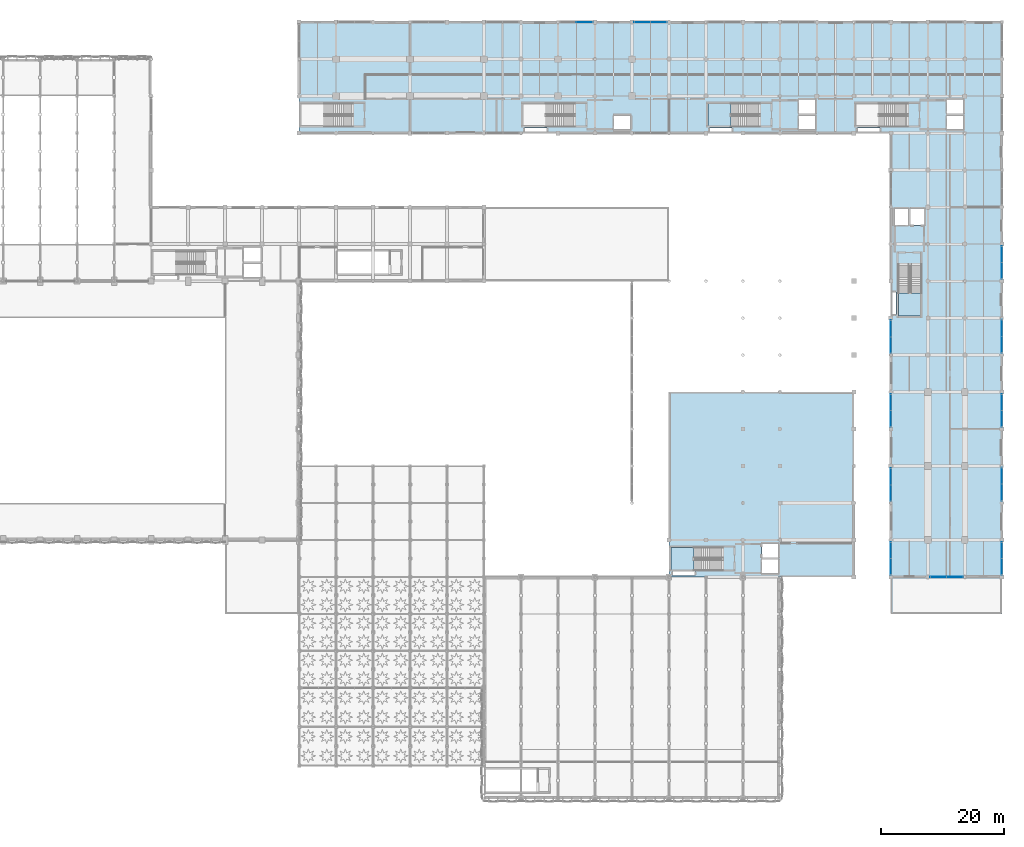
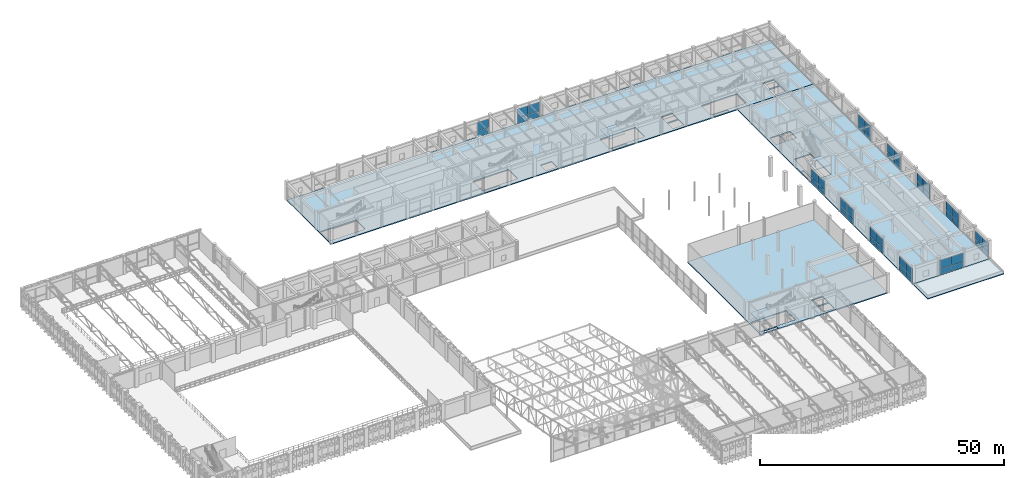
# One storey, part 89 of 123: 46 plates, 7 slabs, 15 elements without a shape of their own.
"""IFC4 building model written with IfcOpenShell, lengths in metres."""

from ifc_helpers import new_model, si_unit, direction, frame, frame_2d, origin, place, context, subcontext, project, spatial, polyline, rectangle, outline, extrude, material, layer, layer_set, type_object, element, aggregate, save


model = new_model("IFC4")

# Units and contexts
model_context = context("Model", 3, precision=1e-05, world=origin(), true_north=direction((0.0, 1.0)))
body_context = subcontext(model_context, "Body", "Model", "MODEL_VIEW")
ifc_project = project(units=[si_unit("LENGTHUNIT", "METRE"), si_unit("AREAUNIT", "SQUARE_METRE"), si_unit("VOLUMEUNIT", "CUBIC_METRE"), si_unit("PLANEANGLEUNIT", "RADIAN"), si_unit("MASSUNIT", "GRAM", prefix="KILO"), si_unit("THERMODYNAMICTEMPERATUREUNIT", "KELVIN"), si_unit("POWERUNIT", "WATT")], contexts=[model_context])

# Site, building, storey
site_placement = place(None, origin())
site = spatial("IfcSite", under=ifc_project, at=site_placement, CompositionType="ELEMENT")
building_placement = place(site_placement, origin())
building = spatial("IfcBuilding", under=site, at=building_placement, Name="Phaisarnlok Congress Hotel", CompositionType="ELEMENT")
storey_placement = place(building_placement, frame((0.0, 0.0, 15.0)))
storey = spatial("IfcBuildingStorey", under=building, at=storey_placement, Name="L03", CompositionType="ELEMENT", Elevation=15.0)

# Curtain wall, plates
ifc_material_1 = material(Name="Thermally Broken Unitised Aluminium & Low-E Glazing", Category="aluminium")
curtain_wall_type_1 = type_object("IfcCurtainWallType", Name="CW-UNIT-31", PredefinedType="NOTDEFINED", material=ifc_material_1)
curtain_wall_1_placement = place(storey_placement, origin())
curtain_wall_1 = element("IfcCurtainWall", 1, at=curtain_wall_1_placement, inside=storey, type_object=curtain_wall_type_1, Name="Unitised curtain wall CW-31 (L03)", PredefinedType="NOTDEFINED")
ifc_material_2 = material(Name="Double Low-E Insulated Glazing", Category="glass")
ifc_layer_1 = layer(ifc_material_2, 0.028076171875, Name="Double Low-E Insulated Glazing")
ifc_layer_set_1 = layer_set([ifc_layer_1], Name="Double Low-E Insulated Glazing")
plate_type = type_object("IfcPlateType", Name="CWP-GLZ-28", PredefinedType="CURTAIN_PANEL", material=ifc_layer_set_1)
plate_1_placement = place(storey_placement, frame((162.0, 77.625, 0.0400390625), z_axis=(0.0, 0.0, 1.0), x_axis=(0.0, -1.0, 0.0)))
plate_1 = element("IfcPlate", 2, at=plate_1_placement, type_object=plate_type, Name="Glazed curtain panel CWP-01", PredefinedType="CURTAIN_PANEL", context=body_context, shape_type="SweptSolid", body=[
    extrude(rectangle(XDim=2.657958984375, YDim=0.028076171875, at=frame_2d((1.3291015625, 0.0))), origin(), (0.0, 0.0, 1.0), 1.365966796875),
])
plate_2_placement = place(storey_placement, frame((162.0, 77.625, 1.406005859375), z_axis=(0.0, 0.0, 1.0), x_axis=(0.0, -1.0, 0.0)))
plate_2 = element("IfcPlate", 3, at=plate_2_placement, type_object=plate_type, Name="Glazed curtain panel CWP-01", PredefinedType="CURTAIN_PANEL", context=body_context, shape_type="SweptSolid", body=[
    extrude(rectangle(XDim=2.657958984375, YDim=0.028076171875, at=frame_2d((1.3291015625, 0.0))), origin(), (0.0, 0.0, 1.0), 2.25390625),
])
plate_3_placement = place(storey_placement, frame((162.0, 74.93701171875, 0.0400390625), z_axis=(0.0, 0.0, 1.0), x_axis=(0.0, -1.0, 0.0)))
plate_3 = element("IfcPlate", 4, at=plate_3_placement, type_object=plate_type, Name="Glazed curtain panel CWP-01", PredefinedType="CURTAIN_PANEL", context=body_context, shape_type="SweptSolid", body=[
    extrude(rectangle(XDim=2.657958984375, YDim=0.028076171875, at=frame_2d((1.3291015625, 0.0))), origin(), (0.0, 0.0, 1.0), 1.365966796875),
])
plate_4_placement = place(storey_placement, frame((162.0, 74.93701171875, 1.406005859375), z_axis=(0.0, 0.0, 1.0), x_axis=(0.0, -1.0, 0.0)))
plate_4 = element("IfcPlate", 5, at=plate_4_placement, type_object=plate_type, Name="Glazed curtain panel CWP-01", PredefinedType="CURTAIN_PANEL", context=body_context, shape_type="SweptSolid", body=[
    extrude(rectangle(XDim=2.657958984375, YDim=0.028076171875, at=frame_2d((1.3291015625, 0.0))), origin(), (0.0, 0.0, 1.0), 2.25390625),
])
aggregate(curtain_wall_1, [plate_1, plate_2, plate_3, plate_4])

curtain_wall_type_2 = type_object("IfcCurtainWallType", Name="CW-UNIT-30", PredefinedType="NOTDEFINED", material=ifc_material_1)
curtain_wall_2_placement = place(storey_placement, origin())
curtain_wall_2 = element("IfcCurtainWall", 6, at=curtain_wall_2_placement, inside=storey, type_object=curtain_wall_type_2, Name="Unitised curtain wall CW-30 (L03)", PredefinedType="NOTDEFINED")
plate_5_placement = place(storey_placement, frame((162.0, 65.625, 0.0400390625), z_axis=(0.0, 0.0, 1.0), x_axis=(0.0, -1.0, 0.0)))
plate_5 = element("IfcPlate", 7, at=plate_5_placement, type_object=plate_type, Name="Glazed curtain panel CWP-01", PredefinedType="CURTAIN_PANEL", context=body_context, shape_type="SweptSolid", body=[
    extrude(rectangle(XDim=2.62255859375, YDim=0.028076171875, at=frame_2d((1.311279296875, 0.0))), origin(), (0.0, 0.0, 1.0), 1.365966796875),
])
plate_6_placement = place(storey_placement, frame((162.0, 65.625, 1.406005859375), z_axis=(0.0, 0.0, 1.0), x_axis=(0.0, -1.0, 0.0)))
plate_6 = element("IfcPlate", 8, at=plate_6_placement, type_object=plate_type, Name="Glazed curtain panel CWP-01", PredefinedType="CURTAIN_PANEL", context=body_context, shape_type="SweptSolid", body=[
    extrude(rectangle(XDim=2.62255859375, YDim=0.028076171875, at=frame_2d((1.311279296875, 0.0))), origin(), (0.0, 0.0, 1.0), 2.25390625),
])
plate_7_placement = place(storey_placement, frame((162.0, 62.972412109375, 0.0400390625), z_axis=(0.0, 0.0, 1.0), x_axis=(0.0, -1.0, 0.0)))
plate_7 = element("IfcPlate", 9, at=plate_7_placement, type_object=plate_type, Name="Glazed curtain panel CWP-01", PredefinedType="CURTAIN_PANEL", context=body_context, shape_type="SweptSolid", body=[
    extrude(rectangle(XDim=2.622314453125, YDim=0.028076171875, at=frame_2d((1.31103515625, 0.0))), origin(), (0.0, 0.0, 1.0), 1.365966796875),
])
plate_8_placement = place(storey_placement, frame((162.0, 62.972412109375, 1.406005859375), z_axis=(0.0, 0.0, 1.0), x_axis=(0.0, -1.0, 0.0)))
plate_8 = element("IfcPlate", 10, at=plate_8_placement, type_object=plate_type, Name="Glazed curtain panel CWP-01", PredefinedType="CURTAIN_PANEL", context=body_context, shape_type="SweptSolid", body=[
    extrude(rectangle(XDim=2.622314453125, YDim=0.028076171875, at=frame_2d((1.31103515625, 0.0))), origin(), (0.0, 0.0, 1.0), 2.25390625),
])
aggregate(curtain_wall_2, [plate_5, plate_6, plate_7, plate_8])

curtain_wall_3_placement = place(storey_placement, origin())
curtain_wall_3 = element("IfcCurtainWall", 11, at=curtain_wall_3_placement, inside=storey, type_object=curtain_wall_type_1, Name="Unitised curtain wall CW-31 (L03)", PredefinedType="NOTDEFINED")
plate_9_placement = place(storey_placement, frame((162.0, 53.625, 0.0400390625), z_axis=(0.0, 0.0, 1.0), x_axis=(0.0, -1.0, 0.0)))
plate_9 = element("IfcPlate", 12, at=plate_9_placement, type_object=plate_type, Name="Glazed curtain panel CWP-01", PredefinedType="CURTAIN_PANEL", context=body_context, shape_type="SweptSolid", body=[
    extrude(rectangle(XDim=2.657958984375, YDim=0.028076171875, at=frame_2d((1.3291015625, 0.0))), origin(), (0.0, 0.0, 1.0), 1.365966796875),
])
plate_10_placement = place(storey_placement, frame((162.0, 53.625, 1.406005859375), z_axis=(0.0, 0.0, 1.0), x_axis=(0.0, -1.0, 0.0)))
plate_10 = element("IfcPlate", 13, at=plate_10_placement, type_object=plate_type, Name="Glazed curtain panel CWP-01", PredefinedType="CURTAIN_PANEL", context=body_context, shape_type="SweptSolid", body=[
    extrude(rectangle(XDim=2.657958984375, YDim=0.028076171875, at=frame_2d((1.3291015625, 0.0))), origin(), (0.0, 0.0, 1.0), 2.25390625),
])
plate_11_placement = place(storey_placement, frame((162.0, 50.93701171875, 0.0400390625), z_axis=(0.0, 0.0, 1.0), x_axis=(0.0, -1.0, 0.0)))
plate_11 = element("IfcPlate", 14, at=plate_11_placement, type_object=plate_type, Name="Glazed curtain panel CWP-01", PredefinedType="CURTAIN_PANEL", context=body_context, shape_type="SweptSolid", body=[
    extrude(rectangle(XDim=2.657958984375, YDim=0.028076171875, at=frame_2d((1.3291015625, 0.0))), origin(), (0.0, 0.0, 1.0), 1.365966796875),
])
plate_12_placement = place(storey_placement, frame((162.0, 50.93701171875, 1.406005859375), z_axis=(0.0, 0.0, 1.0), x_axis=(0.0, -1.0, 0.0)))
plate_12 = element("IfcPlate", 15, at=plate_12_placement, type_object=plate_type, Name="Glazed curtain panel CWP-01", PredefinedType="CURTAIN_PANEL", context=body_context, shape_type="SweptSolid", body=[
    extrude(rectangle(XDim=2.657958984375, YDim=0.028076171875, at=frame_2d((1.3291015625, 0.0))), origin(), (0.0, 0.0, 1.0), 2.25390625),
])
aggregate(curtain_wall_3, [plate_9, plate_10, plate_11, plate_12])

curtain_wall_4_placement = place(storey_placement, origin())
curtain_wall_4 = element("IfcCurtainWall", 16, at=curtain_wall_4_placement, inside=storey, type_object=curtain_wall_type_2, Name="Unitised curtain wall CW-30 (L03)", PredefinedType="NOTDEFINED")
plate_13_placement = place(storey_placement, frame((162.0, 41.625, 0.0400390625), z_axis=(0.0, 0.0, 1.0), x_axis=(0.0, -1.0, 0.0)))
plate_13 = element("IfcPlate", 17, at=plate_13_placement, type_object=plate_type, Name="Glazed curtain panel CWP-01", PredefinedType="CURTAIN_PANEL", context=body_context, shape_type="SweptSolid", body=[
    extrude(rectangle(XDim=2.62255859375, YDim=0.028076171875, at=frame_2d((1.311279296875, 0.0))), origin(), (0.0, 0.0, 1.0), 1.365966796875),
])
plate_14_placement = place(storey_placement, frame((162.0, 41.625, 1.406005859375), z_axis=(0.0, 0.0, 1.0), x_axis=(0.0, -1.0, 0.0)))
plate_14 = element("IfcPlate", 18, at=plate_14_placement, type_object=plate_type, Name="Glazed curtain panel CWP-01", PredefinedType="CURTAIN_PANEL", context=body_context, shape_type="SweptSolid", body=[
    extrude(rectangle(XDim=2.62255859375, YDim=0.028076171875, at=frame_2d((1.311279296875, 0.0))), origin(), (0.0, 0.0, 1.0), 2.25390625),
])
plate_15_placement = place(storey_placement, frame((162.0, 38.972412109375, 0.0400390625), z_axis=(0.0, 0.0, 1.0), x_axis=(0.0, -1.0, 0.0)))
plate_15 = element("IfcPlate", 19, at=plate_15_placement, type_object=plate_type, Name="Glazed curtain panel CWP-01", PredefinedType="CURTAIN_PANEL", context=body_context, shape_type="SweptSolid", body=[
    extrude(rectangle(XDim=2.622314453125, YDim=0.028076171875, at=frame_2d((1.31103515625, 0.0))), origin(), (0.0, 0.0, 1.0), 1.365966796875),
])
plate_16_placement = place(storey_placement, frame((162.0, 38.972412109375, 1.406005859375), z_axis=(0.0, 0.0, 1.0), x_axis=(0.0, -1.0, 0.0)))
plate_16 = element("IfcPlate", 20, at=plate_16_placement, type_object=plate_type, Name="Glazed curtain panel CWP-01", PredefinedType="CURTAIN_PANEL", context=body_context, shape_type="SweptSolid", body=[
    extrude(rectangle(XDim=2.622314453125, YDim=0.028076171875, at=frame_2d((1.31103515625, 0.0))), origin(), (0.0, 0.0, 1.0), 2.25390625),
])
aggregate(curtain_wall_4, [plate_13, plate_14, plate_15, plate_16])

curtain_wall_5_placement = place(storey_placement, origin())
curtain_wall_5 = element("IfcCurtainWall", 21, at=curtain_wall_5_placement, inside=storey, type_object=curtain_wall_type_1, Name="Unitised curtain wall CW-31 (L03)", PredefinedType="NOTDEFINED")
plate_17_placement = place(storey_placement, frame((168.375, 36.0, 0.0400390625), z_axis=(0.0, 0.0, 1.0), x_axis=(1.0, 0.0, 0.0)))
plate_17 = element("IfcPlate", 22, at=plate_17_placement, type_object=plate_type, Name="Glazed curtain panel CWP-01", PredefinedType="CURTAIN_PANEL", context=body_context, shape_type="SweptSolid", body=[
    extrude(rectangle(XDim=2.657958984375, YDim=0.028076171875, at=frame_2d((1.3291015625, 0.0))), origin(), (0.0, 0.0, 1.0), 1.365966796875),
])
plate_18_placement = place(storey_placement, frame((168.375, 36.0, 1.406005859375), z_axis=(0.0, 0.0, 1.0), x_axis=(1.0, 0.0, 0.0)))
plate_18 = element("IfcPlate", 23, at=plate_18_placement, type_object=plate_type, Name="Glazed curtain panel CWP-01", PredefinedType="CURTAIN_PANEL", context=body_context, shape_type="SweptSolid", body=[
    extrude(rectangle(XDim=2.657958984375, YDim=0.028076171875, at=frame_2d((1.3291015625, 0.0))), origin(), (0.0, 0.0, 1.0), 2.25390625),
])
plate_19_placement = place(storey_placement, frame((171.06298828125, 36.0, 0.0400390625), z_axis=(0.0, 0.0, 1.0), x_axis=(1.0, 0.0, 0.0)))
plate_19 = element("IfcPlate", 24, at=plate_19_placement, type_object=plate_type, Name="Glazed curtain panel CWP-01", PredefinedType="CURTAIN_PANEL", context=body_context, shape_type="SweptSolid", body=[
    extrude(rectangle(XDim=2.657958984375, YDim=0.028076171875, at=frame_2d((1.3291015625, 0.0))), origin(), (0.0, 0.0, 1.0), 1.365966796875),
])
plate_20_placement = place(storey_placement, frame((171.06298828125, 36.0, 1.406005859375), z_axis=(0.0, 0.0, 1.0), x_axis=(1.0, 0.0, 0.0)))
plate_20 = element("IfcPlate", 25, at=plate_20_placement, type_object=plate_type, Name="Glazed curtain panel CWP-01", PredefinedType="CURTAIN_PANEL", context=body_context, shape_type="SweptSolid", body=[
    extrude(rectangle(XDim=2.657958984375, YDim=0.028076171875, at=frame_2d((1.3291015625, 0.0))), origin(), (0.0, 0.0, 1.0), 2.25390625),
])
aggregate(curtain_wall_5, [plate_17, plate_18, plate_19, plate_20])

curtain_wall_6_placement = place(storey_placement, origin())
curtain_wall_6 = element("IfcCurtainWall", 26, at=curtain_wall_6_placement, inside=storey, type_object=curtain_wall_type_2, Name="Unitised curtain wall CW-30 (L03)", PredefinedType="NOTDEFINED")
plate_21_placement = place(storey_placement, frame((180.0, 36.375, 0.0400390625), z_axis=(0.0, 0.0, 1.0), x_axis=(0.0, 1.0, 0.0)))
plate_21 = element("IfcPlate", 27, at=plate_21_placement, type_object=plate_type, Name="Glazed curtain panel CWP-01", PredefinedType="CURTAIN_PANEL", context=body_context, shape_type="SweptSolid", body=[
    extrude(rectangle(XDim=2.62255859375, YDim=0.028076171875, at=frame_2d((1.311279296875, 0.0))), origin(), (0.0, 0.0, 1.0), 1.365966796875),
])
plate_22_placement = place(storey_placement, frame((180.0, 36.375, 1.406005859375), z_axis=(0.0, 0.0, 1.0), x_axis=(0.0, 1.0, 0.0)))
plate_22 = element("IfcPlate", 28, at=plate_22_placement, type_object=plate_type, Name="Glazed curtain panel CWP-01", PredefinedType="CURTAIN_PANEL", context=body_context, shape_type="SweptSolid", body=[
    extrude(rectangle(XDim=2.62255859375, YDim=0.028076171875, at=frame_2d((1.311279296875, 0.0))), origin(), (0.0, 0.0, 1.0), 2.25390625),
])
plate_23_placement = place(storey_placement, frame((180.0, 39.027587890625, 0.0400390625), z_axis=(0.0, 0.0, 1.0), x_axis=(0.0, 1.0, 0.0)))
plate_23 = element("IfcPlate", 29, at=plate_23_placement, type_object=plate_type, Name="Glazed curtain panel CWP-01", PredefinedType="CURTAIN_PANEL", context=body_context, shape_type="SweptSolid", body=[
    extrude(rectangle(XDim=2.622314453125, YDim=0.028076171875, at=frame_2d((1.31103515625, 0.0))), origin(), (0.0, 0.0, 1.0), 1.365966796875),
])
plate_24_placement = place(storey_placement, frame((180.0, 39.027587890625, 1.406005859375), z_axis=(0.0, 0.0, 1.0), x_axis=(0.0, 1.0, 0.0)))
plate_24 = element("IfcPlate", 30, at=plate_24_placement, type_object=plate_type, Name="Glazed curtain panel CWP-01", PredefinedType="CURTAIN_PANEL", context=body_context, shape_type="SweptSolid", body=[
    extrude(rectangle(XDim=2.622314453125, YDim=0.028076171875, at=frame_2d((1.31103515625, 0.0))), origin(), (0.0, 0.0, 1.0), 2.25390625),
])
aggregate(curtain_wall_6, [plate_21, plate_22, plate_23, plate_24])

curtain_wall_7_placement = place(storey_placement, origin())
curtain_wall_7 = element("IfcCurtainWall", 31, at=curtain_wall_7_placement, inside=storey, type_object=curtain_wall_type_1, Name="Unitised curtain wall CW-31 (L03)", PredefinedType="NOTDEFINED")
plate_25_placement = place(storey_placement, frame((180.0, 48.375, 0.0400390625), z_axis=(0.0, 0.0, 1.0), x_axis=(0.0, 1.0, 0.0)))
plate_25 = element("IfcPlate", 32, at=plate_25_placement, type_object=plate_type, Name="Glazed curtain panel CWP-01", PredefinedType="CURTAIN_PANEL", context=body_context, shape_type="SweptSolid", body=[
    extrude(rectangle(XDim=2.657958984375, YDim=0.028076171875, at=frame_2d((1.3291015625, 0.0))), origin(), (0.0, 0.0, 1.0), 1.365966796875),
])
plate_26_placement = place(storey_placement, frame((180.0, 48.375, 1.406005859375), z_axis=(0.0, 0.0, 1.0), x_axis=(0.0, 1.0, 0.0)))
plate_26 = element("IfcPlate", 33, at=plate_26_placement, type_object=plate_type, Name="Glazed curtain panel CWP-01", PredefinedType="CURTAIN_PANEL", context=body_context, shape_type="SweptSolid", body=[
    extrude(rectangle(XDim=2.657958984375, YDim=0.028076171875, at=frame_2d((1.3291015625, 0.0))), origin(), (0.0, 0.0, 1.0), 2.25390625),
])
plate_27_placement = place(storey_placement, frame((180.0, 51.06298828125, 0.0400390625), z_axis=(0.0, 0.0, 1.0), x_axis=(0.0, 1.0, 0.0)))
plate_27 = element("IfcPlate", 34, at=plate_27_placement, type_object=plate_type, Name="Glazed curtain panel CWP-01", PredefinedType="CURTAIN_PANEL", context=body_context, shape_type="SweptSolid", body=[
    extrude(rectangle(XDim=2.657958984375, YDim=0.028076171875, at=frame_2d((1.3291015625, 0.0))), origin(), (0.0, 0.0, 1.0), 1.365966796875),
])
plate_28_placement = place(storey_placement, frame((180.0, 51.06298828125, 1.406005859375), z_axis=(0.0, 0.0, 1.0), x_axis=(0.0, 1.0, 0.0)))
plate_28 = element("IfcPlate", 35, at=plate_28_placement, type_object=plate_type, Name="Glazed curtain panel CWP-01", PredefinedType="CURTAIN_PANEL", context=body_context, shape_type="SweptSolid", body=[
    extrude(rectangle(XDim=2.657958984375, YDim=0.028076171875, at=frame_2d((1.3291015625, 0.0))), origin(), (0.0, 0.0, 1.0), 2.25390625),
])
aggregate(curtain_wall_7, [plate_25, plate_26, plate_27, plate_28])

curtain_wall_8_placement = place(storey_placement, origin())
curtain_wall_8 = element("IfcCurtainWall", 36, at=curtain_wall_8_placement, inside=storey, type_object=curtain_wall_type_2, Name="Unitised curtain wall CW-30 (L03)", PredefinedType="NOTDEFINED")
plate_29_placement = place(storey_placement, frame((180.0, 60.375, 0.0400390625), z_axis=(0.0, 0.0, 1.0), x_axis=(0.0, 1.0, 0.0)))
plate_29 = element("IfcPlate", 37, at=plate_29_placement, type_object=plate_type, Name="Glazed curtain panel CWP-01", PredefinedType="CURTAIN_PANEL", context=body_context, shape_type="SweptSolid", body=[
    extrude(rectangle(XDim=2.62255859375, YDim=0.028076171875, at=frame_2d((1.311279296875, 0.0))), origin(), (0.0, 0.0, 1.0), 1.365966796875),
])
plate_30_placement = place(storey_placement, frame((180.0, 60.375, 1.406005859375), z_axis=(0.0, 0.0, 1.0), x_axis=(0.0, 1.0, 0.0)))
plate_30 = element("IfcPlate", 38, at=plate_30_placement, type_object=plate_type, Name="Glazed curtain panel CWP-01", PredefinedType="CURTAIN_PANEL", context=body_context, shape_type="SweptSolid", body=[
    extrude(rectangle(XDim=2.62255859375, YDim=0.028076171875, at=frame_2d((1.311279296875, 0.0))), origin(), (0.0, 0.0, 1.0), 2.25390625),
])
plate_31_placement = place(storey_placement, frame((180.0, 63.027587890625, 0.0400390625), z_axis=(0.0, 0.0, 1.0), x_axis=(0.0, 1.0, 0.0)))
plate_31 = element("IfcPlate", 39, at=plate_31_placement, type_object=plate_type, Name="Glazed curtain panel CWP-01", PredefinedType="CURTAIN_PANEL", context=body_context, shape_type="SweptSolid", body=[
    extrude(rectangle(XDim=2.622314453125, YDim=0.028076171875, at=frame_2d((1.31103515625, 0.0))), origin(), (0.0, 0.0, 1.0), 1.365966796875),
])
plate_32_placement = place(storey_placement, frame((180.0, 63.027587890625, 1.406005859375), z_axis=(0.0, 0.0, 1.0), x_axis=(0.0, 1.0, 0.0)))
plate_32 = element("IfcPlate", 40, at=plate_32_placement, type_object=plate_type, Name="Glazed curtain panel CWP-01", PredefinedType="CURTAIN_PANEL", context=body_context, shape_type="SweptSolid", body=[
    extrude(rectangle(XDim=2.622314453125, YDim=0.028076171875, at=frame_2d((1.31103515625, 0.0))), origin(), (0.0, 0.0, 1.0), 2.25390625),
])
aggregate(curtain_wall_8, [plate_29, plate_30, plate_31, plate_32])

curtain_wall_9_placement = place(storey_placement, origin())
curtain_wall_9 = element("IfcCurtainWall", 41, at=curtain_wall_9_placement, inside=storey, type_object=curtain_wall_type_1, Name="Unitised curtain wall CW-31 (L03)", PredefinedType="NOTDEFINED")
plate_33_placement = place(storey_placement, frame((180.0, 72.375, 0.0400390625), z_axis=(0.0, 0.0, 1.0), x_axis=(0.0, 1.0, 0.0)))
plate_33 = element("IfcPlate", 42, at=plate_33_placement, type_object=plate_type, Name="Glazed curtain panel CWP-01", PredefinedType="CURTAIN_PANEL", context=body_context, shape_type="SweptSolid", body=[
    extrude(rectangle(XDim=2.657958984375, YDim=0.028076171875, at=frame_2d((1.3291015625, 0.0))), origin(), (0.0, 0.0, 1.0), 1.365966796875),
])
plate_34_placement = place(storey_placement, frame((180.0, 72.375, 1.406005859375), z_axis=(0.0, 0.0, 1.0), x_axis=(0.0, 1.0, 0.0)))
plate_34 = element("IfcPlate", 43, at=plate_34_placement, type_object=plate_type, Name="Glazed curtain panel CWP-01", PredefinedType="CURTAIN_PANEL", context=body_context, shape_type="SweptSolid", body=[
    extrude(rectangle(XDim=2.657958984375, YDim=0.028076171875, at=frame_2d((1.3291015625, 0.0))), origin(), (0.0, 0.0, 1.0), 2.25390625),
])
plate_35_placement = place(storey_placement, frame((180.0, 75.06298828125, 0.0400390625), z_axis=(0.0, 0.0, 1.0), x_axis=(0.0, 1.0, 0.0)))
plate_35 = element("IfcPlate", 44, at=plate_35_placement, type_object=plate_type, Name="Glazed curtain panel CWP-01", PredefinedType="CURTAIN_PANEL", context=body_context, shape_type="SweptSolid", body=[
    extrude(rectangle(XDim=2.657958984375, YDim=0.028076171875, at=frame_2d((1.3291015625, 0.0))), origin(), (0.0, 0.0, 1.0), 1.365966796875),
])
plate_36_placement = place(storey_placement, frame((180.0, 75.06298828125, 1.406005859375), z_axis=(0.0, 0.0, 1.0), x_axis=(0.0, 1.0, 0.0)))
plate_36 = element("IfcPlate", 45, at=plate_36_placement, type_object=plate_type, Name="Glazed curtain panel CWP-01", PredefinedType="CURTAIN_PANEL", context=body_context, shape_type="SweptSolid", body=[
    extrude(rectangle(XDim=2.657958984375, YDim=0.028076171875, at=frame_2d((1.3291015625, 0.0))), origin(), (0.0, 0.0, 1.0), 2.25390625),
])
aggregate(curtain_wall_9, [plate_33, plate_34, plate_35, plate_36])

curtain_wall_10_placement = place(storey_placement, origin())
curtain_wall_10 = element("IfcCurtainWall", 46, at=curtain_wall_10_placement, inside=storey, type_object=curtain_wall_type_2, Name="Unitised curtain wall CW-30 (L03)", PredefinedType="NOTDEFINED")
plate_37_placement = place(storey_placement, frame((180.0, 84.375, 0.0400390625), z_axis=(0.0, 0.0, 1.0), x_axis=(0.0, 1.0, 0.0)))
plate_37 = element("IfcPlate", 47, at=plate_37_placement, type_object=plate_type, Name="Glazed curtain panel CWP-01", PredefinedType="CURTAIN_PANEL", context=body_context, shape_type="SweptSolid", body=[
    extrude(rectangle(XDim=2.62255859375, YDim=0.028076171875, at=frame_2d((1.311279296875, 0.0))), origin(), (0.0, 0.0, 1.0), 1.365966796875),
])
plate_38_placement = place(storey_placement, frame((180.0, 84.375, 1.406005859375), z_axis=(0.0, 0.0, 1.0), x_axis=(0.0, 1.0, 0.0)))
plate_38 = element("IfcPlate", 48, at=plate_38_placement, type_object=plate_type, Name="Glazed curtain panel CWP-01", PredefinedType="CURTAIN_PANEL", context=body_context, shape_type="SweptSolid", body=[
    extrude(rectangle(XDim=2.62255859375, YDim=0.028076171875, at=frame_2d((1.311279296875, 0.0))), origin(), (0.0, 0.0, 1.0), 2.25390625),
])
plate_39_placement = place(storey_placement, frame((180.0, 87.027587890625, 0.0400390625), z_axis=(0.0, 0.0, 1.0), x_axis=(0.0, 1.0, 0.0)))
plate_39 = element("IfcPlate", 49, at=plate_39_placement, type_object=plate_type, Name="Glazed curtain panel CWP-01", PredefinedType="CURTAIN_PANEL", context=body_context, shape_type="SweptSolid", body=[
    extrude(rectangle(XDim=2.622314453125, YDim=0.028076171875, at=frame_2d((1.31103515625, 0.0))), origin(), (0.0, 0.0, 1.0), 1.365966796875),
])
plate_40_placement = place(storey_placement, frame((180.0, 87.027587890625, 1.406005859375), z_axis=(0.0, 0.0, 1.0), x_axis=(0.0, 1.0, 0.0)))
plate_40 = element("IfcPlate", 50, at=plate_40_placement, type_object=plate_type, Name="Glazed curtain panel CWP-01", PredefinedType="CURTAIN_PANEL", context=body_context, shape_type="SweptSolid", body=[
    extrude(rectangle(XDim=2.622314453125, YDim=0.028076171875, at=frame_2d((1.31103515625, 0.0))), origin(), (0.0, 0.0, 1.0), 2.25390625),
])
aggregate(curtain_wall_10, [plate_37, plate_38, plate_39, plate_40])

curtain_wall_11_placement = place(storey_placement, origin())
curtain_wall_11 = element("IfcCurtainWall", 51, at=curtain_wall_11_placement, inside=storey, type_object=curtain_wall_type_2, Name="Unitised curtain wall CW-30 (L03)", PredefinedType="NOTDEFINED")
plate_41_placement = place(storey_placement, frame((125.625, 126.0, 0.0400390625), z_axis=(0.0, 0.0, 1.0), x_axis=(-1.0, 0.0, 0.0)))
plate_41 = element("IfcPlate", 52, at=plate_41_placement, type_object=plate_type, Name="Glazed curtain panel CWP-01", PredefinedType="CURTAIN_PANEL", context=body_context, shape_type="SweptSolid", body=[
    extrude(rectangle(XDim=2.62255859375, YDim=0.028076171875, at=frame_2d((1.311279296875, 0.0))), origin(), (0.0, 0.0, 1.0), 1.365966796875),
])
plate_42_placement = place(storey_placement, frame((125.625, 126.0, 1.406005859375), z_axis=(0.0, 0.0, 1.0), x_axis=(-1.0, 0.0, 0.0)))
plate_42 = element("IfcPlate", 53, at=plate_42_placement, type_object=plate_type, Name="Glazed curtain panel CWP-01", PredefinedType="CURTAIN_PANEL", context=body_context, shape_type="SweptSolid", body=[
    extrude(rectangle(XDim=2.62255859375, YDim=0.028076171875, at=frame_2d((1.311279296875, 0.0))), origin(), (0.0, 0.0, 1.0), 2.25390625),
])
plate_43_placement = place(storey_placement, frame((122.972412109375, 126.0, 0.0400390625), z_axis=(0.0, 0.0, 1.0), x_axis=(-1.0, 0.0, 0.0)))
plate_43 = element("IfcPlate", 54, at=plate_43_placement, type_object=plate_type, Name="Glazed curtain panel CWP-01", PredefinedType="CURTAIN_PANEL", context=body_context, shape_type="SweptSolid", body=[
    extrude(rectangle(XDim=2.622314453125, YDim=0.028076171875, at=frame_2d((1.31103515625, 0.0))), origin(), (0.0, 0.0, 1.0), 1.365966796875),
])
plate_44_placement = place(storey_placement, frame((122.972412109375, 126.0, 1.406005859375), z_axis=(0.0, 0.0, 1.0), x_axis=(-1.0, 0.0, 0.0)))
plate_44 = element("IfcPlate", 55, at=plate_44_placement, type_object=plate_type, Name="Glazed curtain panel CWP-01", PredefinedType="CURTAIN_PANEL", context=body_context, shape_type="SweptSolid", body=[
    extrude(rectangle(XDim=2.622314453125, YDim=0.028076171875, at=frame_2d((1.31103515625, 0.0))), origin(), (0.0, 0.0, 1.0), 2.25390625),
])
aggregate(curtain_wall_11, [plate_41, plate_42, plate_43, plate_44])

curtain_wall_12_placement = place(storey_placement, origin())
curtain_wall_12 = element("IfcCurtainWall", 56, at=curtain_wall_12_placement, inside=storey, type_object=curtain_wall_type_1, Name="Unitised curtain wall CW-31 (L03)", PredefinedType="NOTDEFINED")
plate_45_placement = place(storey_placement, frame((113.625, 126.0, 0.0400390625), z_axis=(0.0, 0.0, 1.0), x_axis=(-1.0, 0.0, 0.0)))
plate_45 = element("IfcPlate", 57, at=plate_45_placement, type_object=plate_type, Name="Glazed curtain panel CWP-01", PredefinedType="CURTAIN_PANEL", context=body_context, shape_type="SweptSolid", body=[
    extrude(rectangle(XDim=2.657958984375, YDim=0.028076171875, at=frame_2d((1.3291015625, 0.0))), origin(), (0.0, 0.0, 1.0), 1.365966796875),
])
plate_46_placement = place(storey_placement, frame((113.625, 126.0, 1.406005859375), z_axis=(0.0, 0.0, 1.0), x_axis=(-1.0, 0.0, 0.0)))
plate_46 = element("IfcPlate", 58, at=plate_46_placement, type_object=plate_type, Name="Glazed curtain panel CWP-01", PredefinedType="CURTAIN_PANEL", context=body_context, shape_type="SweptSolid", body=[
    extrude(rectangle(XDim=2.657958984375, YDim=0.028076171875, at=frame_2d((1.3291015625, 0.0))), origin(), (0.0, 0.0, 1.0), 2.25390625),
])
aggregate(curtain_wall_12, [plate_45, plate_46])

# Slabs
ifc_material_3 = material(Name="Concrete C40/50", Category="concrete")
ifc_layer_2 = layer(ifc_material_3, 0.260009765625, Name="Concrete C40/50")
ifc_layer_set_2 = layer_set([ifc_layer_2], Name="Concrete C40/50")
slab_type_1 = type_object("IfcSlabType", Name="SLB-INT-260", PredefinedType="FLOOR", material=ifc_layer_set_2)
slab_1_placement = place(storey_placement, frame((0.0, 0.0, -0.260009765625)))
element("IfcSlab", 59, at=slab_1_placement, inside=storey, type_object=slab_type_1, Name="Floor slab SL-INT-260 (L03 v4_e)", PredefinedType="FLOOR", context=body_context, shape_type="SweptSolid", body=[
    extrude(outline(polyline([(156.0, 36.0), (156.0, 66.0), (126.0, 66.0), (126.0, 36.0), (156.0, 36.0)]), holes=[polyline([(134.719970703125, 40.800048828125), (126.300048828125, 40.800048828125), (126.300048828125, 37.0), (134.719970703125, 37.0), (134.719970703125, 40.800048828125)]), polyline([(143.75, 36.60009765625), (143.75, 38.85009765625), (141.10009765625, 38.85009765625), (141.10009765625, 36.60009765625), (143.75, 36.60009765625)]), polyline([(143.75, 39.14990234375), (143.75, 41.39990234375), (141.10009765625, 41.39990234375), (141.10009765625, 39.14990234375), (143.75, 39.14990234375)]), polyline([(130.199951171875, 36.25), (130.199951171875, 36.85009765625), (126.60009765625, 36.85009765625), (126.60009765625, 36.25), (130.199951171875, 36.25)])]), origin(), (0.0, 0.0, 1.0), 0.260009765625),
])
slab_2_placement = place(storey_placement, frame((0.0, 0.0, -0.260009765625)))
element("IfcSlab", 60, at=slab_2_placement, inside=storey, type_object=slab_type_1, Name="Floor slab SL-INT-260 (L03 v5_n)", PredefinedType="FLOOR", context=body_context, shape_type="SweptSolid", body=[
    extrude(outline(polyline([(180.0, 108.0), (180.0, 126.0), (66.0, 126.0), (66.0, 108.0), (180.0, 108.0)]), holes=[polyline([(164.719970703125, 112.800048828125), (156.300048828125, 112.800048828125), (156.300048828125, 109.0), (164.719970703125, 109.0), (164.719970703125, 112.800048828125)]), polyline([(140.719970703125, 112.800048828125), (132.300048828125, 112.800048828125), (132.300048828125, 109.0), (140.719970703125, 109.0), (140.719970703125, 112.800048828125)]), polyline([(110.719970703125, 112.800048828125), (102.300048828125, 112.800048828125), (102.300048828125, 109.0), (110.719970703125, 109.0), (110.719970703125, 112.800048828125)]), polyline([(74.719970703125, 112.800048828125), (66.300048828125, 112.800048828125), (66.300048828125, 109.0), (74.719970703125, 109.0), (74.719970703125, 112.800048828125)]), polyline([(173.75, 108.60009765625), (173.75, 110.85009765625), (171.10009765625, 110.85009765625), (171.10009765625, 108.60009765625), (173.75, 108.60009765625)]), polyline([(173.75, 111.14990234375), (173.75, 113.39990234375), (171.10009765625, 113.39990234375), (171.10009765625, 111.14990234375), (173.75, 111.14990234375)]), polyline([(160.199951171875, 108.25), (160.199951171875, 108.85009765625), (156.60009765625, 108.85009765625), (156.60009765625, 108.25), (160.199951171875, 108.25)]), polyline([(149.75, 108.60009765625), (149.75, 110.85009765625), (147.10009765625, 110.85009765625), (147.10009765625, 108.60009765625), (149.75, 108.60009765625)]), polyline([(149.75, 111.14990234375), (149.75, 113.39990234375), (147.10009765625, 113.39990234375), (147.10009765625, 111.14990234375), (149.75, 111.14990234375)]), polyline([(136.199951171875, 108.25), (136.199951171875, 108.85009765625), (132.60009765625, 108.85009765625), (132.60009765625, 108.25), (136.199951171875, 108.25)]), polyline([(119.75, 108.60009765625), (119.75, 110.85009765625), (117.10009765625, 110.85009765625), (117.10009765625, 108.60009765625), (119.75, 108.60009765625)]), polyline([(106.199951171875, 108.25), (106.199951171875, 108.85009765625), (102.60009765625, 108.85009765625), (102.60009765625, 108.25), (106.199951171875, 108.25)])]), origin(), (0.0, 0.0, 1.0), 0.260009765625),
])
slab_3_placement = place(storey_placement, frame((0.0, 0.0, -0.260009765625)))
element("IfcSlab", 61, at=slab_3_placement, inside=storey, type_object=slab_type_1, Name="Floor slab SL-INT-260 (L03 v5_e)", PredefinedType="FLOOR", context=body_context, shape_type="SweptSolid", body=[
    extrude(outline(polyline([(180.0, 36.0), (180.0, 108.0), (162.0, 108.0), (162.0, 36.0), (180.0, 36.0)]), holes=[polyline([(163.199951171875, 86.719970703125), (163.199951171875, 78.300048828125), (167.0, 78.300048828125), (167.0, 86.719970703125), (163.199951171875, 86.719970703125)]), polyline([(164.85009765625, 93.10009765625), (164.85009765625, 95.75), (162.60009765625, 95.75), (162.60009765625, 93.10009765625), (164.85009765625, 93.10009765625)]), polyline([(167.39990234375, 93.10009765625), (167.39990234375, 95.75), (165.14990234375, 95.75), (165.14990234375, 93.10009765625), (167.39990234375, 93.10009765625)]), polyline([(162.85009765625, 78.60009765625), (162.85009765625, 82.199951171875), (162.25, 82.199951171875), (162.25, 78.60009765625), (162.85009765625, 78.60009765625)])]), origin(), (0.0, 0.0, 1.0), 0.260009765625),
])

# Stair, slab
stair_type = type_object("IfcStairType", Name="STR-DOG-01", PredefinedType="HALF_TURN_STAIR", material=ifc_material_3)
stair_1_placement = place(storey_placement, origin())
stair_1 = element("IfcStair", 62, at=stair_1_placement, inside=storey, type_object=stair_type, Name="L03 ST-02", PredefinedType="HALF_TURN_STAIR")
ifc_layer_3 = layer(ifc_material_3, 0.199951171875, Name="Concrete C40/50")
ifc_layer_set_3 = layer_set([ifc_layer_3], Name="Concrete C40/50")
slab_type_2 = type_object("IfcSlabType", Name="SLB-LND-200", PredefinedType="LANDING", material=ifc_layer_set_3)
slab_4_placement = place(storey_placement, frame((0.0, 0.0, 2.199951171875)))
slab_4 = element("IfcSlab", 63, at=slab_4_placement, type_object=slab_type_2, Name="ST-02 landing 1", PredefinedType="LANDING", context=body_context, shape_type="SweptSolid", body=[
    extrude(outline(polyline([(130.070068359375, 40.800048828125), (126.300048828125, 40.800048828125), (126.300048828125, 37.0), (130.070068359375, 37.0), (130.070068359375, 40.800048828125)])), origin(), (0.0, 0.0, 1.0), 0.199951171875),
])
aggregate(stair_1, [slab_4])

stair_2_placement = place(storey_placement, origin())
stair_2 = element("IfcStair", 64, at=stair_2_placement, inside=storey, type_object=stair_type, Name="L03 ST-06", PredefinedType="HALF_TURN_STAIR")
slab_5_placement = place(storey_placement, frame((0.0, 0.0, 2.199951171875)))
slab_5 = element("IfcSlab", 65, at=slab_5_placement, type_object=slab_type_2, Name="ST-06 landing 1", PredefinedType="LANDING", context=body_context, shape_type="SweptSolid", body=[
    extrude(outline(polyline([(136.070068359375, 112.800048828125), (132.300048828125, 112.800048828125), (132.300048828125, 109.0), (136.070068359375, 109.0), (136.070068359375, 112.800048828125)])), origin(), (0.0, 0.0, 1.0), 0.199951171875),
])
aggregate(stair_2, [slab_5])

stair_3_placement = place(storey_placement, origin())
stair_3 = element("IfcStair", 66, at=stair_3_placement, inside=storey, type_object=stair_type, Name="L03 ST-09", PredefinedType="HALF_TURN_STAIR")
slab_6_placement = place(storey_placement, frame((0.0, 0.0, 2.199951171875)))
slab_6 = element("IfcSlab", 67, at=slab_6_placement, type_object=slab_type_2, Name="ST-09 landing 1", PredefinedType="LANDING", context=body_context, shape_type="SweptSolid", body=[
    extrude(outline(polyline([(163.199951171875, 82.070068359375), (163.199951171875, 78.300048828125), (167.0, 78.300048828125), (167.0, 82.070068359375), (163.199951171875, 82.070068359375)])), origin(), (0.0, 0.0, 1.0), 0.199951171875),
])
aggregate(stair_3, [slab_6])

# Slab
ifc_layer_4 = layer(ifc_material_3, 0.239990234375, Name="Concrete C40/50")
ifc_layer_set_4 = layer_set([ifc_layer_4], Name="Concrete C40/50")
slab_type_3 = type_object("IfcSlabType", Name="SLB-ROOF-240", PredefinedType="ROOF", material=ifc_layer_set_4)
slab_7_placement = place(storey_placement, frame((0.0, 0.0, -0.239990234375)))
element("IfcSlab", 68, at=slab_7_placement, inside=storey, type_object=slab_type_3, Name="Podium setback roof slab SL-ROOF-240 (L03 pod_kit_se)", PredefinedType="ROOF", context=body_context, shape_type="SweptSolid", body=[
    extrude(outline(polyline([(162.0, 30.0), (180.0, 30.0), (180.0, 36.0), (162.0, 36.0), (162.0, 30.0)])), origin(), (0.0, 0.0, 1.0), 0.239990234375),
])

save(model, "model.ifc")
